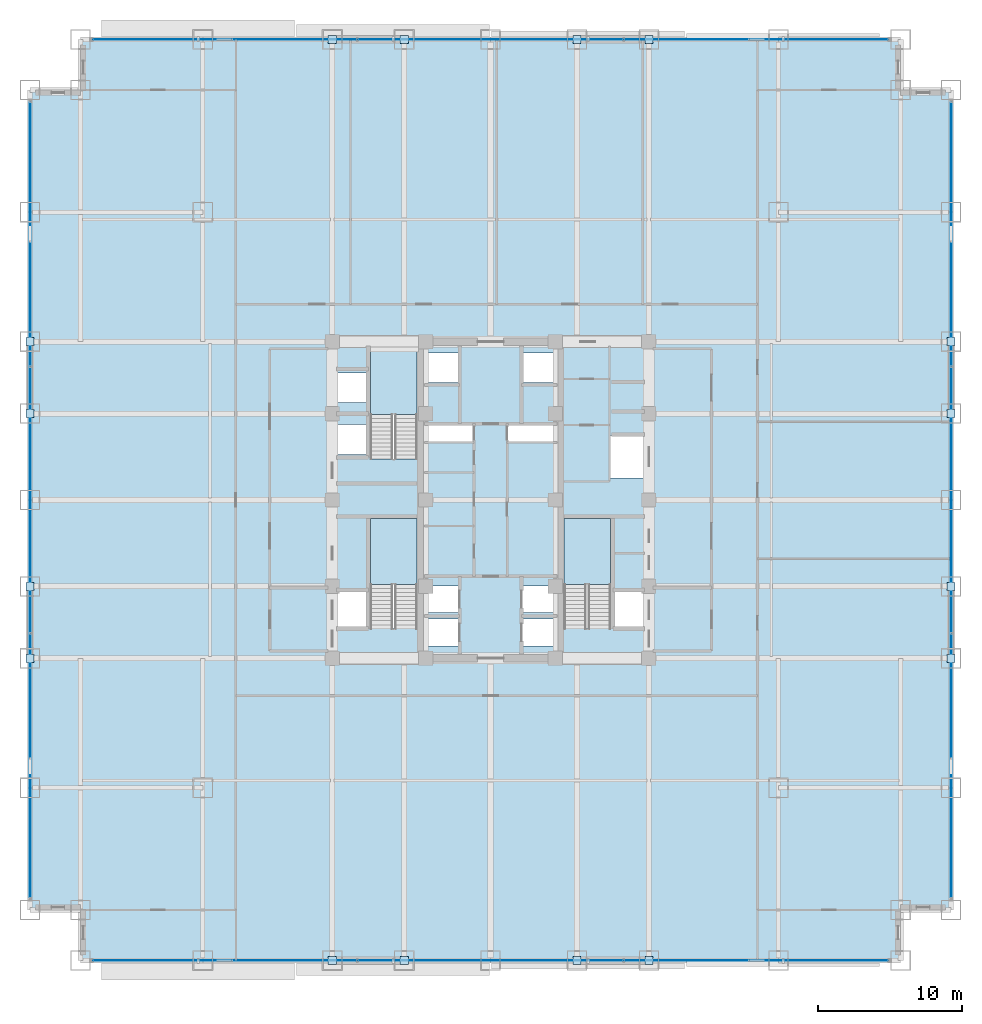
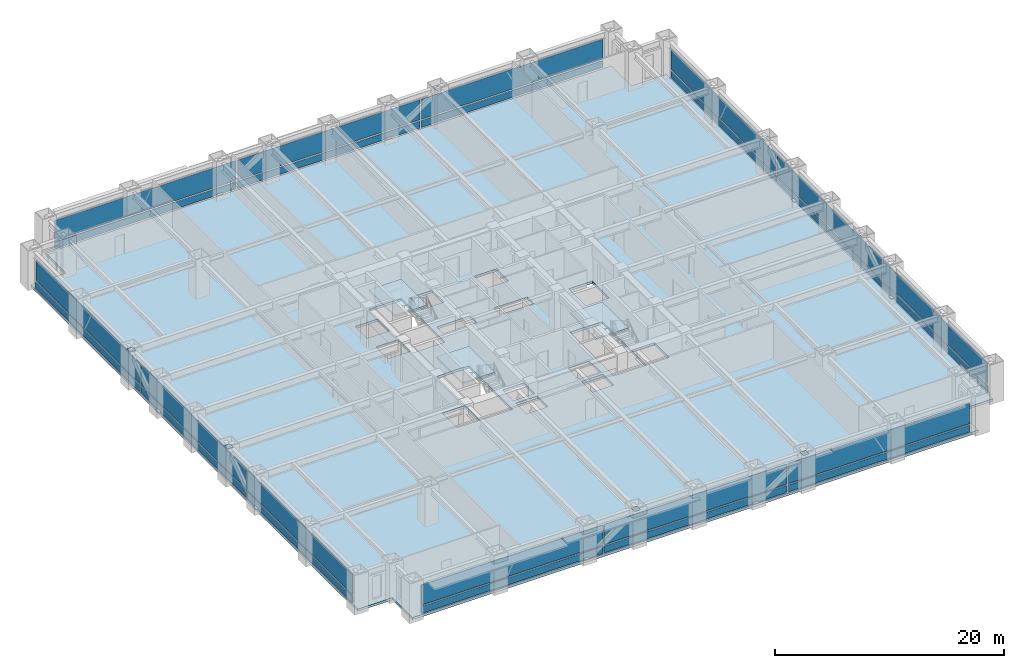
# One storey, part 22 of 31: 40 plates, 4 slabs, 7 elements without a shape of their own.
"""IFC4 building model written with IfcOpenShell, lengths in metres."""

from ifc_helpers import new_model, si_unit, direction, frame, origin, origin_2d, place, context, subcontext, project, spatial, polyline, rectangle, outline, extrude, source, transform, mapped, material, layer, layer_set, type_object, element, aggregate, save


model = new_model("IFC4")

# Units and contexts
model_context = context("Model", 3, precision=1e-05, world=origin(), true_north=direction((0.0, 1.0)))
body_context = subcontext(model_context, "Body", "Model", "MODEL_VIEW")
ifc_project = project(units=[si_unit("LENGTHUNIT", "METRE"), si_unit("AREAUNIT", "SQUARE_METRE"), si_unit("VOLUMEUNIT", "CUBIC_METRE"), si_unit("PLANEANGLEUNIT", "RADIAN"), si_unit("MASSUNIT", "GRAM", prefix="KILO")], contexts=[model_context])

# Site, building, storey
site_placement = place(None, origin())
site = spatial("IfcSite", under=ifc_project, at=site_placement, CompositionType="ELEMENT")
building_placement = place(site_placement, origin())
building = spatial("IfcBuilding", under=site, at=building_placement, Name="Khorayat Bourse Tower", CompositionType="ELEMENT")
storey_placement = place(building_placement, frame((0.0, 0.0, 32.60009765625)))
storey = spatial("IfcBuildingStorey", under=building, at=storey_placement, Name="L06", CompositionType="ELEMENT", Elevation=32.60009765625)

# Stair, slab
ifc_material_1 = material(Name="Concrete C40/50", Category="concrete")
stair_type = type_object("IfcStairType", Name="STR-CORE-1550", PredefinedType="HALF_TURN_STAIR", material=ifc_material_1)
stair_1_placement = place(storey_placement, origin())
stair_1 = element("IfcStair", 1, at=stair_1_placement, inside=storey, type_object=stair_type, Name="L06 Exit Stair ST-1", PredefinedType="HALF_TURN_STAIR")
ifc_layer_1 = layer(ifc_material_1, 0.199951171875)
ifc_layer_set_1 = layer_set([ifc_layer_1], Name="Concrete C40/50")
slab_type_1 = type_object("IfcSlabType", Name="SLB-LANDING-200", PredefinedType="LANDING", material=ifc_layer_set_1)
slab_1_placement = place(storey_placement, frame((0.0, 0.0, 1.89990234375)))
slab_1 = element("IfcSlab", 2, at=slab_1_placement, type_object=slab_type_1, Name="ST-1 landing 1", PredefinedType="LANDING", context=body_context, shape_type="SweptSolid", body=[
    extrude(outline(polyline([(-5.10009765625, -5.8701171875), (-5.10009765625, -1.300048828125), (-8.35009765625, -1.300048828125), (-8.35009765625, -5.8701171875), (-5.10009765625, -5.8701171875)])), origin(), (0.0, 0.0, 1.0), 0.199951171875),
])
aggregate(stair_1, [slab_1])

stair_2_placement = place(storey_placement, origin())
stair_2 = element("IfcStair", 3, at=stair_2_placement, inside=storey, type_object=stair_type, Name="L06 Exit Stair ST-2", PredefinedType="HALF_TURN_STAIR")
slab_2_placement = place(storey_placement, frame((0.0, 0.0, 1.89990234375)))
slab_2 = element("IfcSlab", 4, at=slab_2_placement, type_object=slab_type_1, Name="ST-2 landing 1", PredefinedType="LANDING", context=body_context, shape_type="SweptSolid", body=[
    extrude(outline(polyline([(-5.10009765625, 5.929931640625), (-5.10009765625, 10.5), (-8.35009765625, 10.5), (-8.35009765625, 5.929931640625), (-5.10009765625, 5.929931640625)])), origin(), (0.0, 0.0, 1.0), 0.199951171875),
])
aggregate(stair_2, [slab_2])

stair_3_placement = place(storey_placement, origin())
stair_3 = element("IfcStair", 5, at=stair_3_placement, inside=storey, type_object=stair_type, Name="L06 Exit Stair ST-3", PredefinedType="HALF_TURN_STAIR")
slab_3_placement = place(storey_placement, frame((0.0, 0.0, 1.89990234375)))
slab_3 = element("IfcSlab", 6, at=slab_3_placement, type_object=slab_type_1, Name="ST-3 landing 1", PredefinedType="LANDING", context=body_context, shape_type="SweptSolid", body=[
    extrude(outline(polyline([(8.35009765625, -5.8701171875), (8.35009765625, -1.300048828125), (5.10009765625, -1.300048828125), (5.10009765625, -5.8701171875), (8.35009765625, -5.8701171875)])), origin(), (0.0, 0.0, 1.0), 0.199951171875),
])
aggregate(stair_3, [slab_3])

# Slab
ifc_layer_2 = layer(ifc_material_1, 0.260009765625)
ifc_layer_set_2 = layer_set([ifc_layer_2], Name="Concrete C40/50")
slab_type_2 = type_object("IfcSlabType", Name="SLB-TRADE-260", PredefinedType="FLOOR", material=ifc_layer_set_2)
slab_4_placement = place(storey_placement, frame((0.0, 0.0, -0.260009765625)))
element("IfcSlab", 7, at=slab_4_placement, inside=storey, type_object=slab_type_2, Name="L06 Main Floor Slab", PredefinedType="FLOOR", context=body_context, shape_type="SweptSolid", body=[
    extrude(outline(polyline([(-28.5, -32.0), (28.5, -32.0), (28.5, -28.5), (32.0, -28.5), (32.0, 28.5), (28.5, 28.5), (28.5, 32.0), (-28.5, 32.0), (-28.5, 28.5), (-32.0, 28.5), (-32.0, -28.5), (-28.5, -28.5), (-28.5, -32.0)]), holes=[polyline([(-8.35009765625, -8.945068359375), (-5.10009765625, -8.945068359375), (-5.10009765625, -1.300048828125), (-8.35009765625, -1.300048828125), (-8.35009765625, -8.945068359375)]), polyline([(-8.35009765625, 2.85498046875), (-5.10009765625, 2.85498046875), (-5.10009765625, 10.5), (-8.35009765625, 10.5), (-8.35009765625, 2.85498046875)]), polyline([(5.10009765625, -8.945068359375), (8.35009765625, -8.945068359375), (8.35009765625, -1.300048828125), (5.10009765625, -1.300048828125), (5.10009765625, -8.945068359375)]), polyline([(-4.3798828125, -10.1298828125), (-2.219970703125, -10.1298828125), (-2.219970703125, -8.27001953125), (-4.3798828125, -8.27001953125), (-4.3798828125, -10.1298828125)]), polyline([(2.219970703125, -10.1298828125), (4.3798828125, -10.1298828125), (4.3798828125, -8.27001953125), (2.219970703125, -8.27001953125), (2.219970703125, -10.1298828125)]), polyline([(-4.3798828125, -7.830078125), (-2.219970703125, -7.830078125), (-2.219970703125, -5.969970703125), (-4.3798828125, -5.969970703125), (-4.3798828125, -7.830078125)]), polyline([(2.219970703125, -7.830078125), (4.3798828125, -7.830078125), (4.3798828125, -5.969970703125), (2.219970703125, -5.969970703125), (2.219970703125, -7.830078125)]), polyline([(-4.3798828125, 8.169921875), (-2.1201171875, 8.169921875), (-2.1201171875, 10.22998046875), (-4.3798828125, 10.22998046875), (-4.3798828125, 8.169921875)]), polyline([(2.1201171875, 8.169921875), (4.3798828125, 8.169921875), (4.3798828125, 10.22998046875), (2.1201171875, 10.22998046875), (2.1201171875, 8.169921875)]), polyline([(-10.679931640625, 3.169921875), (-8.419921875, 3.169921875), (-8.419921875, 5.22998046875), (-10.679931640625, 5.22998046875), (-10.679931640625, 3.169921875)]), polyline([(-10.679931640625, 6.77001953125), (-8.419921875, 6.77001953125), (-8.419921875, 8.830078125), (-10.679931640625, 8.830078125), (-10.679931640625, 6.77001953125)]), polyline([(-10.679931640625, -8.929931640625), (-8.419921875, -8.929931640625), (-8.419921875, -6.3701171875), (-10.679931640625, -6.3701171875), (-10.679931640625, -8.929931640625)]), polyline([(8.419921875, -8.929931640625), (10.679931640625, -8.929931640625), (10.679931640625, -6.3701171875), (8.419921875, -6.3701171875), (8.419921875, -8.929931640625)]), polyline([(8.320068359375, 1.52001953125), (10.679931640625, 1.52001953125), (10.679931640625, 4.47998046875), (8.320068359375, 4.47998046875), (8.320068359375, 1.52001953125)]), polyline([(-4.56005859375, 4.080078125), (-1.18994140625, 4.080078125), (-1.18994140625, 5.219970703125), (-4.56005859375, 5.219970703125), (-4.56005859375, 4.080078125)]), polyline([(1.18994140625, 4.080078125), (4.56005859375, 4.080078125), (4.56005859375, 5.219970703125), (1.18994140625, 5.219970703125), (1.18994140625, 4.080078125)])]), origin(), (0.0, 0.0, 1.0), 0.260009765625),
])

# Plates
ifc_material_2 = material(Name="Steel EN 10025-2 S355J2", Category="steel")
ifc_layer_3 = layer(ifc_material_2, 0.02490234375)
ifc_layer_set_3 = layer_set([ifc_layer_3], Name="Steel EN 10025-2 S355J2")
plate_type_1 = type_object("IfcPlateType", Name="PLT-ENDCAP-25", PredefinedType="SHEET", material=ifc_layer_set_3)
shared_shape_1 = source(origin(), body_context, "Body", "SweptSolid", [
    extrude(rectangle(XDim=0.56005859375, YDim=0.56005859375, at=origin_2d()), origin(), (0.0, 0.0, 1.0), 0.02490234375),
])
for number, where, z_axis, x_axis, name in (
    (8, (-11.0, -32.0, 0.237548828125), (0.0, 0.0, 1.0), (1.0, 0.0, 0.0), "L06 Perimeter Brace End Plate 001"),
    (9, (-6.0, -32.0, 3.677490234375), (0.0, 0.0, 1.0), (1.0, 0.0, 0.0), "L06 Perimeter Brace End Plate 002"),
    (10, (6.0, -32.0, 0.237548828125), (0.0, 0.0, 1.0), (1.0, 0.0, 0.0), "L06 Perimeter Brace End Plate 003"),
    (11, (11.0, -32.0, 3.677490234375), (0.0, 0.0, 1.0), (1.0, 0.0, 0.0), "L06 Perimeter Brace End Plate 004"),
    (12, (-11.0, 32.0, 0.237548828125), (0.0, 0.0, 1.0), (1.0, 0.0, 0.0), "L06 Perimeter Brace End Plate 005"),
    (13, (-6.0, 32.0, 3.677490234375), (0.0, 0.0, 1.0), (1.0, 0.0, 0.0), "L06 Perimeter Brace End Plate 006"),
    (14, (6.0, 32.0, 0.237548828125), (0.0, 0.0, 1.0), (1.0, 0.0, 0.0), "L06 Perimeter Brace End Plate 007"),
    (15, (11.0, 32.0, 3.677490234375), (0.0, 0.0, 1.0), (1.0, 0.0, 0.0), "L06 Perimeter Brace End Plate 008"),
    (16, (-32.0, -11.0, 0.237548828125), (0.0, 0.0, 1.0), (1.0, 0.0, 0.0), "L06 Perimeter Brace End Plate 009"),
    (17, (-32.0, -6.0, 3.677490234375), (0.0, 0.0, 1.0), (1.0, 0.0, 0.0), "L06 Perimeter Brace End Plate 010"),
    (18, (-32.0, 6.0, 0.237548828125), (0.0, 0.0, 1.0), (1.0, 0.0, 0.0), "L06 Perimeter Brace End Plate 011"),
    (19, (-32.0, 11.0, 3.677490234375), (0.0, 0.0, 1.0), (1.0, 0.0, 0.0), "L06 Perimeter Brace End Plate 012"),
    (20, (32.0, -11.0, 0.237548828125), (0.0, 0.0, 1.0), (1.0, 0.0, 0.0), "L06 Perimeter Brace End Plate 013"),
    (21, (32.0, -6.0, 3.677490234375), (0.0, 0.0, 1.0), (1.0, 0.0, 0.0), "L06 Perimeter Brace End Plate 014"),
    (22, (32.0, 6.0, 0.237548828125), (0.0, 0.0, 1.0), (1.0, 0.0, 0.0), "L06 Perimeter Brace End Plate 015"),
    (23, (32.0, 11.0, 3.677490234375), (0.0, 0.0, 1.0), (1.0, 0.0, 0.0), "L06 Perimeter Brace End Plate 016"),
):
    element("IfcPlate", number, at=place(storey_placement, frame(where, z_axis=z_axis, x_axis=x_axis)), inside=storey, type_object=plate_type_1, Name=name, PredefinedType="SHEET", context=body_context, shape_type="MappedRepresentation", body=[
        mapped(shared_shape_1, transform((0.0, 0.0, 0.0), scale=1.0)),
    ])

# Curtain wall, plates
ifc_material_3 = material(Name="Aluminium EN AW-6063 T6", Category="aluminium")
curtain_wall_type = type_object("IfcCurtainWallType", Name="CW-SYS-02", PredefinedType="NOTDEFINED", material=ifc_material_3)
curtain_wall_1_placement = place(storey_placement, origin())
curtain_wall_1 = element("IfcCurtainWall", 24, at=curtain_wall_1_placement, inside=storey, type_object=curtain_wall_type, Name="L06 Curtain Wall CW-L06-S1", PredefinedType="NOTDEFINED")
ifc_material_4 = material(Name="Honed desert limestone insulated spandrel", Category="masonry")
ifc_layer_4 = layer(ifc_material_4, 0.06494140625)
ifc_layer_set_4 = layer_set([ifc_layer_4], Name="Honed desert limestone insulated spandrel")
plate_type_2 = type_object("IfcPlateType", Name="CWP-SPAND-03", PredefinedType="CURTAIN_PANEL", material=ifc_layer_set_4)
shared_shape_2 = source(origin(), body_context, "Body", "SweptSolid", [
    extrude(rectangle(XDim=18.2900390625, YDim=0.06494140625, at=origin_2d()), origin(), (0.0, 0.0, 1.0), 0.739990234375),
])
plate_1_placement = place(storey_placement, frame((-18.465087890625, -32.0, 0.14013671875), z_axis=(0.0, 0.0, 1.0), x_axis=(1.0, 0.0, 0.0)))
plate_1 = element("IfcPlate", 25, at=plate_1_placement, type_object=plate_type_2, Name="CW-L06-S1 Spandrel Panel 1-1", PredefinedType="CURTAIN_PANEL", context=body_context, shape_type="MappedRepresentation", body=[
    mapped(shared_shape_2, transform((0.0, 0.0, 0.0), scale=1.0)),
])
plate_2_placement = place(storey_placement, frame((18.465087890625, -32.0, 0.14013671875), z_axis=(0.0, 0.0, 1.0), x_axis=(1.0, 0.0, 0.0)))
plate_2 = element("IfcPlate", 26, at=plate_2_placement, type_object=plate_type_2, Name="CW-L06-S1 Spandrel Panel 3-1", PredefinedType="CURTAIN_PANEL", context=body_context, shape_type="MappedRepresentation", body=[
    mapped(shared_shape_2, transform((0.0, 0.0, 0.0), scale=1.0)),
])

curtain_wall_2_placement = place(storey_placement, origin())
curtain_wall_2 = element("IfcCurtainWall", 27, at=curtain_wall_2_placement, inside=storey, type_object=curtain_wall_type, Name="L06 Curtain Wall CW-L06-N1", PredefinedType="NOTDEFINED")
plate_3_placement = place(storey_placement, frame((-18.465087890625, 32.0, 0.14013671875), z_axis=(0.0, 0.0, 1.0), x_axis=(1.0, 0.0, 0.0)))
plate_3 = element("IfcPlate", 28, at=plate_3_placement, type_object=plate_type_2, Name="CW-L06-N1 Spandrel Panel 1-1", PredefinedType="CURTAIN_PANEL", context=body_context, shape_type="MappedRepresentation", body=[
    mapped(shared_shape_2, transform((0.0, 0.0, 0.0), scale=1.0)),
])
plate_4_placement = place(storey_placement, frame((18.465087890625, 32.0, 0.14013671875), z_axis=(0.0, 0.0, 1.0), x_axis=(1.0, 0.0, 0.0)))
plate_4 = element("IfcPlate", 29, at=plate_4_placement, type_object=plate_type_2, Name="CW-L06-N1 Spandrel Panel 3-1", PredefinedType="CURTAIN_PANEL", context=body_context, shape_type="MappedRepresentation", body=[
    mapped(shared_shape_2, transform((0.0, 0.0, 0.0), scale=1.0)),
])

curtain_wall_3_placement = place(storey_placement, origin())
curtain_wall_3 = element("IfcCurtainWall", 30, at=curtain_wall_3_placement, inside=storey, type_object=curtain_wall_type, Name="L06 Curtain Wall CW-L06-W1", PredefinedType="NOTDEFINED")
plate_5_placement = place(storey_placement, frame((-32.0, -18.465087890625, 0.14013671875), z_axis=(0.0, 0.0, 1.0), x_axis=(0.0, 1.0, 0.0)))
plate_5 = element("IfcPlate", 31, at=plate_5_placement, type_object=plate_type_2, Name="CW-L06-W1 Spandrel Panel 1-1", PredefinedType="CURTAIN_PANEL", context=body_context, shape_type="MappedRepresentation", body=[
    mapped(shared_shape_2, transform((0.0, 0.0, 0.0), scale=1.0)),
])
plate_6_placement = place(storey_placement, frame((-32.0, 18.465087890625, 0.14013671875), z_axis=(0.0, 0.0, 1.0), x_axis=(0.0, 1.0, 0.0)))
plate_6 = element("IfcPlate", 32, at=plate_6_placement, type_object=plate_type_2, Name="CW-L06-W1 Spandrel Panel 3-1", PredefinedType="CURTAIN_PANEL", context=body_context, shape_type="MappedRepresentation", body=[
    mapped(shared_shape_2, transform((0.0, 0.0, 0.0), scale=1.0)),
])

curtain_wall_4_placement = place(storey_placement, origin())
curtain_wall_4 = element("IfcCurtainWall", 33, at=curtain_wall_4_placement, inside=storey, type_object=curtain_wall_type, Name="L06 Curtain Wall CW-L06-E1", PredefinedType="NOTDEFINED")
plate_7_placement = place(storey_placement, frame((32.0, -18.465087890625, 0.14013671875), z_axis=(0.0, 0.0, 1.0), x_axis=(0.0, 1.0, 0.0)))
plate_7 = element("IfcPlate", 34, at=plate_7_placement, type_object=plate_type_2, Name="CW-L06-E1 Spandrel Panel 1-1", PredefinedType="CURTAIN_PANEL", context=body_context, shape_type="MappedRepresentation", body=[
    mapped(shared_shape_2, transform((0.0, 0.0, 0.0), scale=1.0)),
])
plate_8_placement = place(storey_placement, frame((32.0, 18.465087890625, 0.14013671875), z_axis=(0.0, 0.0, 1.0), x_axis=(0.0, 1.0, 0.0)))
plate_8 = element("IfcPlate", 35, at=plate_8_placement, type_object=plate_type_2, Name="CW-L06-E1 Spandrel Panel 3-1", PredefinedType="CURTAIN_PANEL", context=body_context, shape_type="MappedRepresentation", body=[
    mapped(shared_shape_2, transform((0.0, 0.0, 0.0), scale=1.0)),
])

# Plate
ifc_material_5 = material(Name="Low-E solar-control laminated double glazing", Category="glass")
ifc_layer_5 = layer(ifc_material_5, 0.0419921875)
ifc_layer_set_5 = layer_set([ifc_layer_5], Name="Low-E solar-control laminated double glazing")
plate_type_3 = type_object("IfcPlateType", Name="CWP-FACET-02", PredefinedType="CURTAIN_PANEL", material=ifc_layer_set_5)
shared_shape_3 = source(origin(), body_context, "Body", "SweptSolid", [
    extrude(rectangle(XDim=18.2900390625, YDim=0.0419921875, at=origin_2d()), origin(), (0.0, 0.0, 1.0), 2.1298828125),
])
plate_9_placement = place(storey_placement, frame((-18.465087890625, -32.0, 1.02001953125), z_axis=(0.0, 0.0, 1.0), x_axis=(1.0, 0.0, 0.0)))
plate_9 = element("IfcPlate", 36, at=plate_9_placement, type_object=plate_type_3, Name="CW-L06-S1 Vision Panel 1-2", PredefinedType="CURTAIN_PANEL", context=body_context, shape_type="MappedRepresentation", body=[
    mapped(shared_shape_3, transform((0.0, 0.0, 0.0), scale=1.0)),
])

plate_10_placement = place(storey_placement, frame((18.465087890625, -32.0, 1.02001953125), z_axis=(0.0, 0.0, 1.0), x_axis=(1.0, 0.0, 0.0)))
plate_10 = element("IfcPlate", 37, at=plate_10_placement, type_object=plate_type_3, Name="CW-L06-S1 Vision Panel 3-2", PredefinedType="CURTAIN_PANEL", context=body_context, shape_type="MappedRepresentation", body=[
    mapped(shared_shape_3, transform((0.0, 0.0, 0.0), scale=1.0)),
])

plate_11_placement = place(storey_placement, frame((-18.465087890625, 32.0, 1.02001953125), z_axis=(0.0, 0.0, 1.0), x_axis=(1.0, 0.0, 0.0)))
plate_11 = element("IfcPlate", 38, at=plate_11_placement, type_object=plate_type_3, Name="CW-L06-N1 Vision Panel 1-2", PredefinedType="CURTAIN_PANEL", context=body_context, shape_type="MappedRepresentation", body=[
    mapped(shared_shape_3, transform((0.0, 0.0, 0.0), scale=1.0)),
])

plate_12_placement = place(storey_placement, frame((18.465087890625, 32.0, 1.02001953125), z_axis=(0.0, 0.0, 1.0), x_axis=(1.0, 0.0, 0.0)))
plate_12 = element("IfcPlate", 39, at=plate_12_placement, type_object=plate_type_3, Name="CW-L06-N1 Vision Panel 3-2", PredefinedType="CURTAIN_PANEL", context=body_context, shape_type="MappedRepresentation", body=[
    mapped(shared_shape_3, transform((0.0, 0.0, 0.0), scale=1.0)),
])

plate_13_placement = place(storey_placement, frame((-32.0, -18.465087890625, 1.02001953125), z_axis=(0.0, 0.0, 1.0), x_axis=(0.0, 1.0, 0.0)))
plate_13 = element("IfcPlate", 40, at=plate_13_placement, type_object=plate_type_3, Name="CW-L06-W1 Vision Panel 1-2", PredefinedType="CURTAIN_PANEL", context=body_context, shape_type="MappedRepresentation", body=[
    mapped(shared_shape_3, transform((0.0, 0.0, 0.0), scale=1.0)),
])

plate_14_placement = place(storey_placement, frame((-32.0, 18.465087890625, 1.02001953125), z_axis=(0.0, 0.0, 1.0), x_axis=(0.0, 1.0, 0.0)))
plate_14 = element("IfcPlate", 41, at=plate_14_placement, type_object=plate_type_3, Name="CW-L06-W1 Vision Panel 3-2", PredefinedType="CURTAIN_PANEL", context=body_context, shape_type="MappedRepresentation", body=[
    mapped(shared_shape_3, transform((0.0, 0.0, 0.0), scale=1.0)),
])

plate_15_placement = place(storey_placement, frame((32.0, -18.465087890625, 1.02001953125), z_axis=(0.0, 0.0, 1.0), x_axis=(0.0, 1.0, 0.0)))
plate_15 = element("IfcPlate", 42, at=plate_15_placement, type_object=plate_type_3, Name="CW-L06-E1 Vision Panel 1-2", PredefinedType="CURTAIN_PANEL", context=body_context, shape_type="MappedRepresentation", body=[
    mapped(shared_shape_3, transform((0.0, 0.0, 0.0), scale=1.0)),
])

plate_16_placement = place(storey_placement, frame((32.0, 18.465087890625, 1.02001953125), z_axis=(0.0, 0.0, 1.0), x_axis=(0.0, 1.0, 0.0)))
plate_16 = element("IfcPlate", 43, at=plate_16_placement, type_object=plate_type_3, Name="CW-L06-E1 Vision Panel 3-2", PredefinedType="CURTAIN_PANEL", context=body_context, shape_type="MappedRepresentation", body=[
    mapped(shared_shape_3, transform((0.0, 0.0, 0.0), scale=1.0)),
])

shared_shape_4 = source(origin(), body_context, "Body", "SweptSolid", [
    extrude(rectangle(XDim=18.360107421875, YDim=0.06494140625, at=origin_2d()), origin(), (0.0, 0.0, 1.0), 0.739990234375),
])
plate_17_placement = place(storey_placement, frame((0.0, -32.0, 0.14013671875), z_axis=(0.0, 0.0, 1.0), x_axis=(1.0, 0.0, 0.0)))
plate_17 = element("IfcPlate", 44, at=plate_17_placement, type_object=plate_type_2, Name="CW-L06-S1 Spandrel Panel 2-1", PredefinedType="CURTAIN_PANEL", context=body_context, shape_type="MappedRepresentation", body=[
    mapped(shared_shape_4, transform((0.0, 0.0, 0.0), scale=1.0)),
])

plate_18_placement = place(storey_placement, frame((0.0, 32.0, 0.14013671875), z_axis=(0.0, 0.0, 1.0), x_axis=(1.0, 0.0, 0.0)))
plate_18 = element("IfcPlate", 45, at=plate_18_placement, type_object=plate_type_2, Name="CW-L06-N1 Spandrel Panel 2-1", PredefinedType="CURTAIN_PANEL", context=body_context, shape_type="MappedRepresentation", body=[
    mapped(shared_shape_4, transform((0.0, 0.0, 0.0), scale=1.0)),
])

plate_19_placement = place(storey_placement, frame((-32.0, 0.0, 0.14013671875), z_axis=(0.0, 0.0, 1.0), x_axis=(0.0, 1.0, 0.0)))
plate_19 = element("IfcPlate", 46, at=plate_19_placement, type_object=plate_type_2, Name="CW-L06-W1 Spandrel Panel 2-1", PredefinedType="CURTAIN_PANEL", context=body_context, shape_type="MappedRepresentation", body=[
    mapped(shared_shape_4, transform((0.0, 0.0, 0.0), scale=1.0)),
])

plate_20_placement = place(storey_placement, frame((32.0, 0.0, 0.14013671875), z_axis=(0.0, 0.0, 1.0), x_axis=(0.0, 1.0, 0.0)))
plate_20 = element("IfcPlate", 47, at=plate_20_placement, type_object=plate_type_2, Name="CW-L06-E1 Spandrel Panel 2-1", PredefinedType="CURTAIN_PANEL", context=body_context, shape_type="MappedRepresentation", body=[
    mapped(shared_shape_4, transform((0.0, 0.0, 0.0), scale=1.0)),
])

shared_shape_5 = source(origin(), body_context, "Body", "SweptSolid", [
    extrude(rectangle(XDim=18.360107421875, YDim=0.0419921875, at=origin_2d()), origin(), (0.0, 0.0, 1.0), 2.1298828125),
])
plate_21_placement = place(storey_placement, frame((0.0, -32.0, 1.02001953125), z_axis=(0.0, 0.0, 1.0), x_axis=(1.0, 0.0, 0.0)))
plate_21 = element("IfcPlate", 48, at=plate_21_placement, type_object=plate_type_3, Name="CW-L06-S1 Vision Panel 2-2", PredefinedType="CURTAIN_PANEL", context=body_context, shape_type="MappedRepresentation", body=[
    mapped(shared_shape_5, transform((0.0, 0.0, 0.0), scale=1.0)),
])

aggregate(curtain_wall_1, [plate_1, plate_9, plate_17, plate_21, plate_2, plate_10])

plate_22_placement = place(storey_placement, frame((0.0, 32.0, 1.02001953125), z_axis=(0.0, 0.0, 1.0), x_axis=(1.0, 0.0, 0.0)))
plate_22 = element("IfcPlate", 49, at=plate_22_placement, type_object=plate_type_3, Name="CW-L06-N1 Vision Panel 2-2", PredefinedType="CURTAIN_PANEL", context=body_context, shape_type="MappedRepresentation", body=[
    mapped(shared_shape_5, transform((0.0, 0.0, 0.0), scale=1.0)),
])

aggregate(curtain_wall_2, [plate_3, plate_11, plate_18, plate_22, plate_4, plate_12])

plate_23_placement = place(storey_placement, frame((-32.0, 0.0, 1.02001953125), z_axis=(0.0, 0.0, 1.0), x_axis=(0.0, 1.0, 0.0)))
plate_23 = element("IfcPlate", 50, at=plate_23_placement, type_object=plate_type_3, Name="CW-L06-W1 Vision Panel 2-2", PredefinedType="CURTAIN_PANEL", context=body_context, shape_type="MappedRepresentation", body=[
    mapped(shared_shape_5, transform((0.0, 0.0, 0.0), scale=1.0)),
])

aggregate(curtain_wall_3, [plate_5, plate_13, plate_19, plate_23, plate_6, plate_14])

plate_24_placement = place(storey_placement, frame((32.0, 0.0, 1.02001953125), z_axis=(0.0, 0.0, 1.0), x_axis=(0.0, 1.0, 0.0)))
plate_24 = element("IfcPlate", 51, at=plate_24_placement, type_object=plate_type_3, Name="CW-L06-E1 Vision Panel 2-2", PredefinedType="CURTAIN_PANEL", context=body_context, shape_type="MappedRepresentation", body=[
    mapped(shared_shape_5, transform((0.0, 0.0, 0.0), scale=1.0)),
])

aggregate(curtain_wall_4, [plate_7, plate_15, plate_20, plate_24, plate_8, plate_16])

save(model, "model.ifc")
